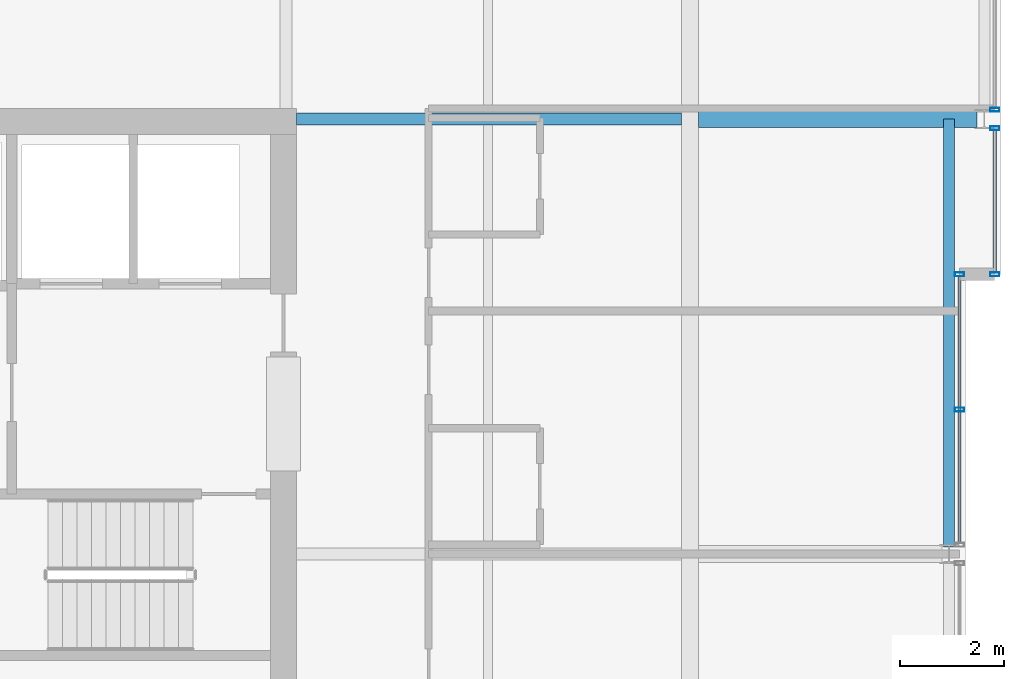
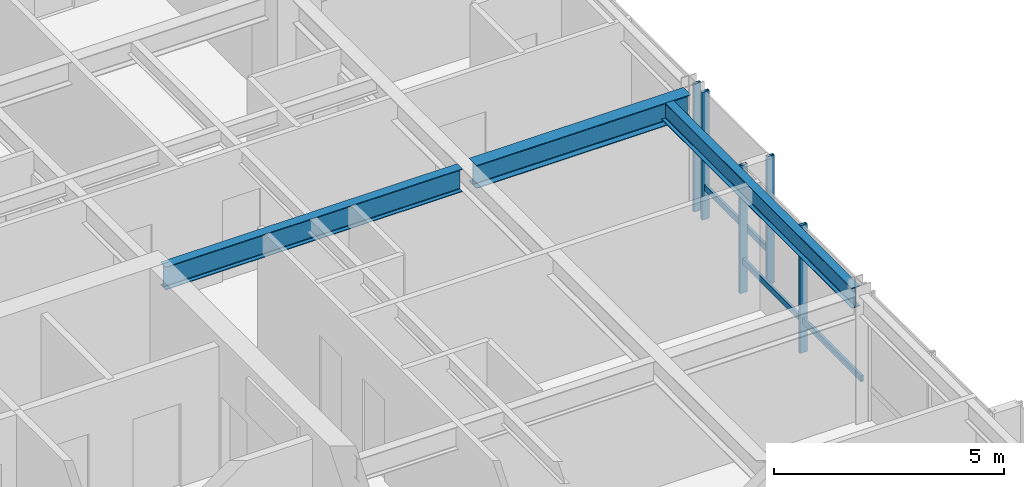
# One storey, part 19 of 33: 7 members, 3 beams, 3 elements without a shape of their own.
"""IFC4 building model written with IfcOpenShell, lengths in metres."""

from ifc_helpers import new_model, si_unit, direction, frame, origin, origin_2d, place, context, subcontext, project, spatial, hollow_rectangle, i_section, extrude, material, layer, layer_set, material_profile, profile_set, type_object, element, aggregate, save


model = new_model("IFC4")

# Units and contexts
model_context = context("Model", 3, precision=1e-05, world=origin(), true_north=direction((0.0, 1.0)))
body_context = subcontext(model_context, "Body", "Model", "MODEL_VIEW")
ifc_project = project(units=[si_unit("LENGTHUNIT", "METRE"), si_unit("AREAUNIT", "SQUARE_METRE"), si_unit("VOLUMEUNIT", "CUBIC_METRE"), si_unit("PLANEANGLEUNIT", "RADIAN"), si_unit("MASSUNIT", "GRAM", prefix="KILO")], contexts=[model_context])

# Site, building, storey
site_placement = place(None, origin())
site = spatial("IfcSite", under=ifc_project, at=site_placement, CompositionType="ELEMENT")
building_placement = place(site_placement, origin())
building = spatial("IfcBuilding", under=site, at=building_placement, Name="Drelvath Grand Hotel", CompositionType="ELEMENT")
storey_placement = place(building_placement, frame((0.0, 0.0, 268.64990234375)))
storey = spatial("IfcBuildingStorey", under=building, at=storey_placement, Name="L70", CompositionType="ELEMENT", Elevation=268.64990234375)

# Curtain wall, member
ifc_material_1 = material(Name="Platinum-Mist Anodised Aluminium Frame", Category="aluminium")
ifc_layer = layer(ifc_material_1, 0.199951171875)
ifc_layer_set = layer_set([ifc_layer], Name="Platinum-Mist Anodised Aluminium Frame")
curtain_wall_type = type_object("IfcCurtainWallType", Name="Stick Curtain Wall CW-05 Platinum Mist High-Rise", PredefinedType="NOTDEFINED", material=ifc_layer_set)
curtain_wall_1_placement = place(storey_placement, origin())
curtain_wall_1 = element("IfcCurtainWall", 1, at=curtain_wall_1_placement, inside=storey, type_object=curtain_wall_type, Name="L70 CW-05 Curtain Wall CW05-L70-EN1", PredefinedType="NOTDEFINED")
ifc_material_profile_1 = material_profile(ifc_material_1, hollow_rectangle(XDim=0.06494140625, YDim=0.159912109375, WallThickness=0.00390625, at=origin_2d()), Name="HSS160X65X4")
ifc_profile_set_1 = profile_set([ifc_material_profile_1], Name="Platinum-Mist Anodised Aluminium Frame")
member_type_1 = type_object("IfcMemberType", Name="Curtain Wall Horizontal Transom CW-05 HSS160X65X4", PredefinedType="USERDEFINED", material=ifc_profile_set_1)
member_1_placement = place(storey_placement, frame((22.080078125, 35.181884765625, 0.84765625), z_axis=(0.0, -1.0, 0.0), x_axis=(1.0, 0.0, 0.0)))
member_1 = element("IfcMember", 2, at=member_1_placement, type_object=member_type_1, Name="CW05-L70-EN1 Sill Transom", ObjectType="TRANSOM", PredefinedType="USERDEFINED", context=body_context, shape_type="SweptSolid", body=[
    extrude(hollow_rectangle(XDim=0.06494140625, YDim=0.159912109375, WallThickness=0.00390625, at=origin_2d()), origin(), (0.0, 0.0, 1.0), 2.741943359375),
])

curtain_wall_2_placement = place(storey_placement, origin())
curtain_wall_2 = element("IfcCurtainWall", 3, at=curtain_wall_2_placement, inside=storey, type_object=curtain_wall_type, Name="L70 CW-05 Curtain Wall CW05-L70-EM2", PredefinedType="NOTDEFINED")
member_2_placement = place(storey_placement, frame((21.39990234375, 32.360107421875, 0.84765625), z_axis=(0.0, -1.0, 0.0), x_axis=(1.0, 0.0, 0.0)))
member_2 = element("IfcMember", 4, at=member_2_placement, type_object=member_type_1, Name="CW05-L70-EM2 Sill Transom", ObjectType="TRANSOM", PredefinedType="USERDEFINED", context=body_context, shape_type="SweptSolid", body=[
    extrude(hollow_rectangle(XDim=0.06494140625, YDim=0.159912109375, WallThickness=0.00390625, at=origin_2d()), origin(), (0.0, 0.0, 1.0), 5.141845703125),
])

# Member
ifc_material_profile_2 = material_profile(ifc_material_1, hollow_rectangle(XDim=0.074951171875, YDim=0.179931640625, WallThickness=0.0048828125, at=origin_2d()), Name="HSS180X75X5")
ifc_profile_set_2 = profile_set([ifc_material_profile_2], Name="Platinum-Mist Anodised Aluminium Frame")
member_type_2 = type_object("IfcMemberType", Name="Curtain Wall Vertical Mullion CW-05 HSS180X75X5", PredefinedType="MULLION", material=ifc_profile_set_2)
member_3_placement = place(storey_placement, frame((22.080078125, 35.2216796875, 0.0), z_axis=(0.0, 0.0, 1.0), x_axis=(0.0, 1.0, 0.0)))
member_3 = element("IfcMember", 5, at=member_3_placement, type_object=member_type_2, Name="CW05-L70-EN1 Mullion 1", PredefinedType="MULLION", context=body_context, shape_type="SweptSolid", body=[
    extrude(hollow_rectangle(XDim=0.074951171875, YDim=0.179931640625, WallThickness=0.0048828125, at=origin_2d()), origin(), (0.0, 0.0, 1.0), 3.39013671875),
])

member_4_placement = place(storey_placement, frame((22.080078125, 32.39990234375, 0.0), z_axis=(0.0, 0.0, 1.0), x_axis=(0.0, 1.0, 0.0)))
member_4 = element("IfcMember", 6, at=member_4_placement, type_object=member_type_2, Name="CW05-L70-EN1 Mullion 2", PredefinedType="MULLION", context=body_context, shape_type="SweptSolid", body=[
    extrude(hollow_rectangle(XDim=0.074951171875, YDim=0.179931640625, WallThickness=0.0048828125, at=origin_2d()), origin(), (0.0, 0.0, 1.0), 3.39013671875),
])

aggregate(curtain_wall_1, [member_3, member_4, member_1])

# Curtain wall, member
curtain_wall_3_placement = place(storey_placement, origin())
curtain_wall_3 = element("IfcCurtainWall", 7, at=curtain_wall_3_placement, inside=storey, type_object=curtain_wall_type, Name="L70 CW-05 Curtain Wall CW05-L70-EN2", PredefinedType="NOTDEFINED")
member_5_placement = place(storey_placement, frame((22.080078125, 35.578125, 0.0), z_axis=(0.0, 0.0, 1.0), x_axis=(0.0, 1.0, 0.0)))
member_5 = element("IfcMember", 8, at=member_5_placement, type_object=member_type_2, Name="CW05-L70-EN2 Mullion 3", PredefinedType="MULLION", context=body_context, shape_type="SweptSolid", body=[
    extrude(hollow_rectangle(XDim=0.074951171875, YDim=0.179931640625, WallThickness=0.0048828125, at=origin_2d()), origin(), (0.0, 0.0, 1.0), 3.39013671875),
])
aggregate(curtain_wall_3, [member_5])

# Member
member_6_placement = place(storey_placement, frame((21.39990234375, 32.39990234375, 0.0), z_axis=(0.0, 0.0, 1.0), x_axis=(0.0, 1.0, 0.0)))
member_6 = element("IfcMember", 9, at=member_6_placement, type_object=member_type_2, Name="CW05-L70-EM2 Mullion 1", PredefinedType="MULLION", context=body_context, shape_type="SweptSolid", body=[
    extrude(hollow_rectangle(XDim=0.074951171875, YDim=0.179931640625, WallThickness=0.0048828125, at=origin_2d()), origin(), (0.0, 0.0, 1.0), 3.39013671875),
])

member_7_placement = place(storey_placement, frame((21.39990234375, 29.7890625, 0.0), z_axis=(0.0, 0.0, 1.0), x_axis=(0.0, 1.0, 0.0)))
member_7 = element("IfcMember", 10, at=member_7_placement, type_object=member_type_2, Name="CW05-L70-EM2 Mullion 2", PredefinedType="MULLION", context=body_context, shape_type="SweptSolid", body=[
    extrude(hollow_rectangle(XDim=0.074951171875, YDim=0.179931640625, WallThickness=0.0048828125, at=origin_2d()), origin(), (0.0, 0.0, 1.0), 3.39013671875),
])

aggregate(curtain_wall_2, [member_6, member_7, member_2])

# Beams
ifc_material_2 = material(Name="Steel ASTM A992 Gr 50", Category="steel")
ifc_material_profile_3 = material_profile(ifc_material_2, i_section(OverallWidth=0.210205078125, OverallDepth=0.53662109375, WebThickness=0.010986328125, FlangeThickness=0.017333984375, FilletRadius=0.01806640625, at=origin_2d()), Name="W21X68")
ifc_profile_set_3 = profile_set([ifc_material_profile_3], Name="Steel ASTM A992 Gr 50")
beam_type_1 = type_object("IfcBeamType", Name="Perimeter Spandrel Beam W21X68", PredefinedType="SPANDREL", material=ifc_profile_set_3)
beam_1_placement = place(storey_placement, frame((21.199951171875, 27.139892578125, 3.121826171875), z_axis=(0.0, 1.0, 0.0), x_axis=(-1.0, 0.0, 0.0)))
element("IfcBeam", 11, at=beam_1_placement, inside=storey, type_object=beam_type_1, Name="L70 Spandrel East Mid N", PredefinedType="SPANDREL", context=body_context, shape_type="SweptSolid", body=[
    extrude(i_section(OverallWidth=0.210205078125, OverallDepth=0.53662109375, WebThickness=0.010986328125, FlangeThickness=0.017333984375, FilletRadius=0.01806640625, at=origin_2d()), origin(), (0.0, 0.0, 1.0), 8.260009765625),
])
ifc_material_profile_4 = material_profile(ifc_material_2, i_section(OverallWidth=0.323974609375, OverallDepth=0.611083984375, WebThickness=0.0126953125, FlangeThickness=0.01904296875, FilletRadius=0.02197265625, at=origin_2d()), Name="W24X104")
ifc_profile_set_4 = profile_set([ifc_material_profile_4], Name="Steel ASTM A992 Gr 50")
beam_type_2 = type_object("IfcBeamType", Name="Primary Floor Girder W24X104", PredefinedType="BEAM", material=ifc_profile_set_4)
beam_2_placement = place(storey_placement, frame((16.362060546875, 35.39990234375, 3.084716796875), z_axis=(1.0, 0.0, 0.0), x_axis=(0.0, 1.0, 0.0)))
element("IfcBeam", 12, at=beam_2_placement, inside=storey, type_object=beam_type_2, Name="L70 East Wing Girder F", PredefinedType="BEAM", context=body_context, shape_type="SweptSolid", body=[
    extrude(i_section(OverallWidth=0.323974609375, OverallDepth=0.611083984375, WebThickness=0.0126953125, FlangeThickness=0.01904296875, FilletRadius=0.02197265625, at=origin_2d()), origin(), (0.0, 0.0, 1.0), 5.3779296875),
])
ifc_material_profile_5 = material_profile(ifc_material_2, i_section(OverallWidth=0.228271484375, OverallDepth=0.607666015625, WebThickness=0.01123046875, FlangeThickness=0.017333984375, FilletRadius=0.02001953125, at=origin_2d()), Name="W24X76")
ifc_profile_set_5 = profile_set([ifc_material_profile_5], Name="Steel ASTM A992 Gr 50")
beam_type_3 = type_object("IfcBeamType", Name="Primary Floor Girder W24X76", PredefinedType="BEAM", material=ifc_profile_set_5)
beam_3_placement = place(storey_placement, frame((8.60009765625, 35.39990234375, 3.086181640625), z_axis=(1.0, 0.0, 0.0), x_axis=(0.0, 1.0, 0.0)))
element("IfcBeam", 13, at=beam_3_placement, inside=storey, type_object=beam_type_3, Name="L70 East Core Tie F", PredefinedType="BEAM", context=body_context, shape_type="SweptSolid", body=[
    extrude(i_section(OverallWidth=0.228271484375, OverallDepth=0.607666015625, WebThickness=0.01123046875, FlangeThickness=0.017333984375, FilletRadius=0.02001953125, at=origin_2d()), origin(), (0.0, 0.0, 1.0), 7.43798828125),
])

save(model, "model.ifc")
